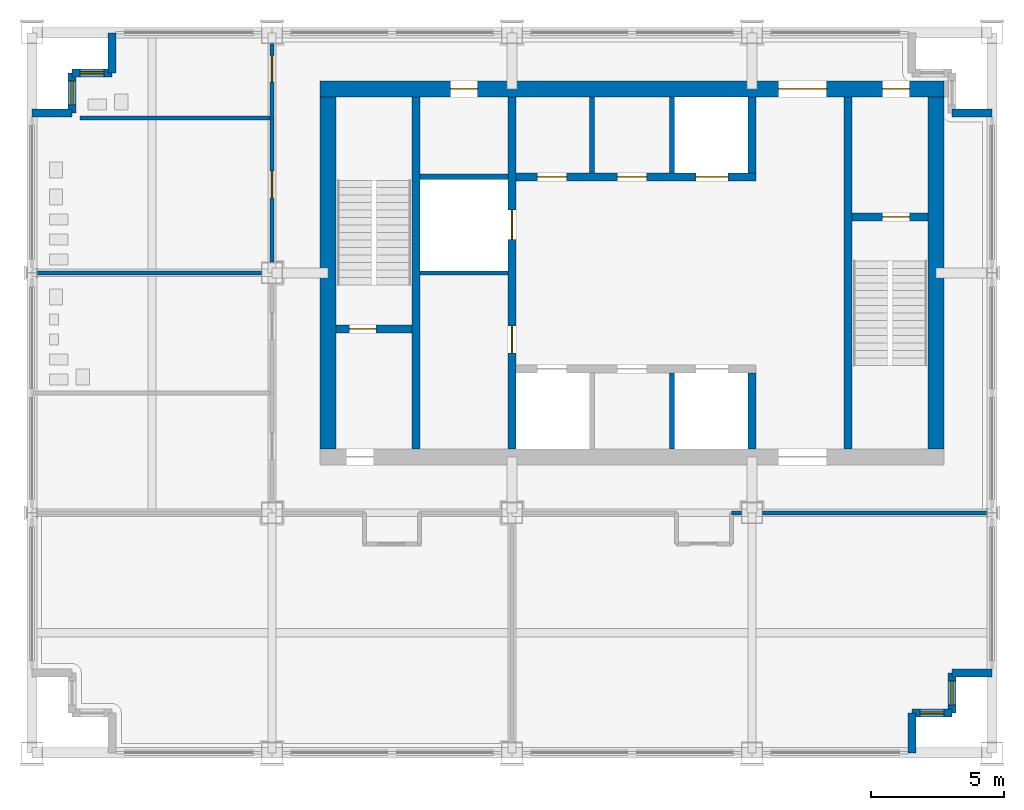
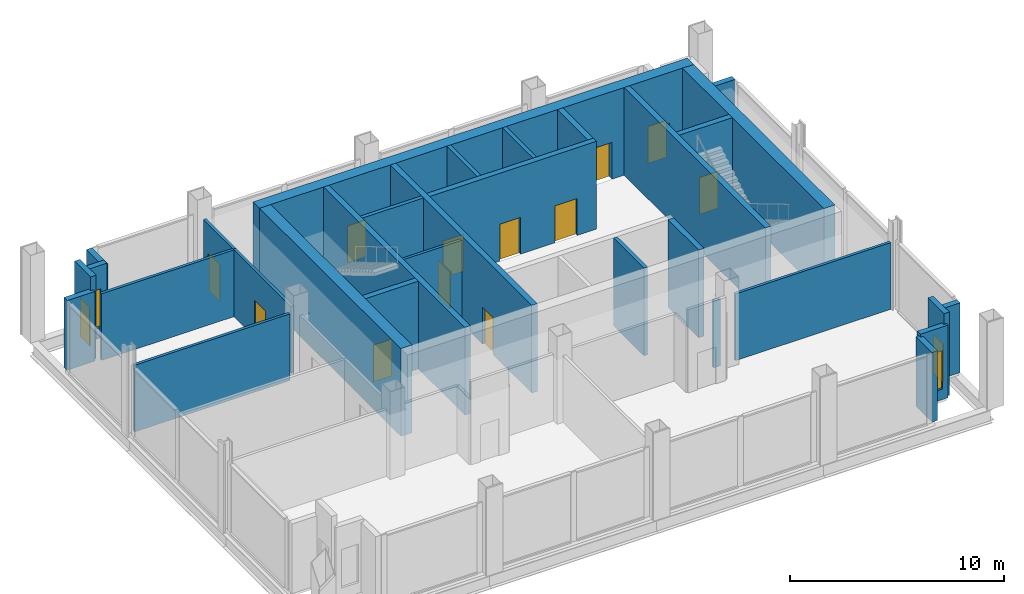
# One storey, part 4 of 7: 31 walls, 12 doors, 4 windows, 16 openings.
"""IFC4 building model written with IfcOpenShell, lengths in metres."""

from ifc_helpers import new_model, si_unit, direction, frame, frame_2d, origin, place, context, subcontext, project, spatial, rectangle, extrude, material, layer, layer_set, type_object, element, fill, save


model = new_model("IFC4")

# Units and contexts
model_context = context("Model", 3, precision=1e-05, world=origin(), true_north=direction((0.0, 1.0)))
body_context = subcontext(model_context, "Body", "Model", "MODEL_VIEW")
ifc_project = project(units=[si_unit("LENGTHUNIT", "METRE"), si_unit("AREAUNIT", "SQUARE_METRE"), si_unit("VOLUMEUNIT", "CUBIC_METRE"), si_unit("PLANEANGLEUNIT", "RADIAN"), si_unit("MASSUNIT", "GRAM", prefix="KILO")], contexts=[model_context])

# Site, building, storey
site_placement = place(None, origin())
site = spatial("IfcSite", under=ifc_project, at=site_placement, CompositionType="ELEMENT")
building_placement = place(site_placement, origin())
building = spatial("IfcBuilding", under=site, at=building_placement, Name="Loomwork Tower", CompositionType="ELEMENT")
storey_placement = place(building_placement, frame((0.0, 0.0, 269.800048828125)))
storey = spatial("IfcBuildingStorey", under=building, at=storey_placement, Name="L74", CompositionType="ELEMENT", Elevation=269.800048828125)

# Wall
ifc_material_1 = material(Name="Concrete 14000 psi (97 MPa)", Category="concrete")
ifc_layer_1 = layer(ifc_material_1, 0.300048828125)
ifc_layer_set_1 = layer_set([ifc_layer_1], Name="Core shear wall 300")
wall_type_1 = type_object("IfcWallType", Name="Core shear wall 300", PredefinedType="SHEAR", material=ifc_layer_set_1)
wall_1_placement = place(storey_placement, frame((14.39990234375, 11.39990234375, 0.0), z_axis=(0.0, 0.0, 1.0), x_axis=(0.0, 1.0, 0.0)))
element("IfcWall", 1, at=wall_1_placement, inside=storey, type_object=wall_type_1, Name="Stair A east wall L74", PredefinedType="SHEAR", context=body_context, shape_type="SweptSolid", body=[
    extrude(rectangle(XDim=13.2001953125, YDim=0.300048828125, at=frame_2d((6.60009765625, 0.0))), origin(), (0.0, 0.0, 1.0), 5.0),
])

# Wall, opening, door
wall_2_placement = place(storey_placement, frame((11.39990234375, 15.89990234375, 0.0), z_axis=(0.0, 0.0, 1.0), x_axis=(1.0, 0.0, 0.0)))
wall_2 = element("IfcWall", 2, at=wall_2_placement, inside=storey, type_object=wall_type_1, Name="Stair A south wall L74", PredefinedType="SHEAR", context=body_context, shape_type="SweptSolid", body=[
    extrude(rectangle(XDim=2.85009765625, YDim=0.300048828125, at=frame_2d((1.425048828125, 0.0))), origin(), (0.0, 0.0, 1.0), 5.0),
])
opening_1_placement = place(wall_2_placement, frame((0.5, 0.0, 0.0)))
opening_1 = element("IfcOpeningElement", 3, at=opening_1_placement, cuts=wall_2, Name="Opening D4", PredefinedType="OPENING", context=body_context, shape_type="SweptSolid", body=[
    extrude(rectangle(XDim=1.0, YDim=2.10009765625, at=frame_2d((0.5, 1.050048828125))), frame((0.0, 0.159912109375, 0.0), z_axis=(0.0, -1.0, 0.0), x_axis=(1.0, 0.0, 0.0)), (0.0, 0.0, 1.0), 0.320068359375),
])
ifc_material_2 = material(Name="Hollow metal door and frame")
door_type_1 = type_object("IfcDoorType", Name="Stair door 1000", OperationType="SINGLE_SWING_RIGHT", PredefinedType="DOOR", material=ifc_material_2)
door_1_placement = place(opening_1_placement, origin())
door_1 = element("IfcDoor", 4, at=door_1_placement, inside=storey, type_object=door_type_1, Name="Stair A door", OperationType="SINGLE_SWING_LEFT", OverallHeight=2.10009765625, OverallWidth=1.0, PredefinedType="DOOR", context=body_context, shape_type="SweptSolid", body=[
    extrude(rectangle(XDim=1.0, YDim=2.10009765625, at=frame_2d((0.5, 1.050048828125))), frame((0.0, 0.02490234375, 0.0), z_axis=(0.0, -1.0, 0.0), x_axis=(1.0, 0.0, 0.0)), (0.0, 0.0, 1.0), 0.050048828125),
])
fill(opening_1, door_1)

# Wall, openings, doors
wall_3_placement = place(storey_placement, frame((18.0, 11.39990234375, 0.0), z_axis=(0.0, 0.0, 1.0), x_axis=(0.0, 1.0, 0.0)))
wall_3 = element("IfcWall", 5, at=wall_3_placement, inside=storey, type_object=wall_type_1, Name="Lobby west wall L74", PredefinedType="SHEAR", context=body_context, shape_type="SweptSolid", body=[
    extrude(rectangle(XDim=13.2001953125, YDim=0.300048828125, at=frame_2d((6.60009765625, 0.0))), origin(), (0.0, 0.0, 1.0), 5.0),
])
opening_2_placement = place(wall_3_placement, frame((3.60009765625, 0.0, 0.0)))
opening_2 = element("IfcOpeningElement", 6, at=opening_2_placement, cuts=wall_3, Name="Opening D5", PredefinedType="OPENING", context=body_context, shape_type="SweptSolid", body=[
    extrude(rectangle(XDim=1.0, YDim=2.10009765625, at=frame_2d((0.5, 1.050048828125))), frame((0.0, 0.159912109375, 0.0), z_axis=(0.0, -1.0, 0.0), x_axis=(1.0, 0.0, 0.0)), (0.0, 0.0, 1.0), 0.320068359375),
])
opening_3_placement = place(wall_3_placement, frame((7.85009765625, 0.0, 0.0)))
opening_3 = element("IfcOpeningElement", 7, at=opening_3_placement, cuts=wall_3, Name="Opening LD1", PredefinedType="OPENING", context=body_context, shape_type="SweptSolid", body=[
    extrude(rectangle(XDim=1.10009765625, YDim=2.10009765625, at=frame_2d((0.550048828125, 1.050048828125))), frame((0.0, 0.159912109375, 0.0), z_axis=(0.0, -1.0, 0.0), x_axis=(1.0, 0.0, 0.0)), (0.0, 0.0, 1.0), 0.320068359375),
])
ifc_material_3 = material(Name="Hollow metal door and frame")
door_type_2 = type_object("IfcDoorType", Name="Lift landing door 1100", OperationType="SLIDING_TO_LEFT", PredefinedType="DOOR", material=ifc_material_3)
door_2_placement = place(opening_3_placement, origin())
door_2 = element("IfcDoor", 8, at=door_2_placement, inside=storey, type_object=door_type_2, Name="Lift landing door LC2", OperationType="SLIDING_TO_LEFT", OverallHeight=2.10009765625, OverallWidth=1.10009765625, PredefinedType="DOOR", context=body_context, shape_type="SweptSolid", body=[
    extrude(rectangle(XDim=1.10009765625, YDim=2.10009765625, at=frame_2d((0.550048828125, 1.050048828125))), frame((0.0, 0.02490234375, 0.0), z_axis=(0.0, -1.0, 0.0), x_axis=(1.0, 0.0, 0.0)), (0.0, 0.0, 1.0), 0.050048828125),
])
fill(opening_3, door_2)
ifc_material_4 = material(Name="Hollow metal door and frame")
door_type_3 = type_object("IfcDoorType", Name="Service door 1000", OperationType="SINGLE_SWING_LEFT", PredefinedType="DOOR", material=ifc_material_4)
door_3_placement = place(opening_2_placement, origin())
door_3 = element("IfcDoor", 9, at=door_3_placement, inside=storey, type_object=door_type_3, Name="Back-of-house door south", OperationType="SINGLE_SWING_LEFT", OverallHeight=2.10009765625, OverallWidth=1.0, PredefinedType="DOOR", context=body_context, shape_type="SweptSolid", body=[
    extrude(rectangle(XDim=1.0, YDim=2.10009765625, at=frame_2d((0.5, 1.050048828125))), frame((0.0, 0.02490234375, 0.0), z_axis=(0.0, -1.0, 0.0), x_axis=(1.0, 0.0, 0.0)), (0.0, 0.0, 1.0), 0.050048828125),
])
fill(opening_2, door_3)

# Wall
wall_4_placement = place(storey_placement, frame((27.0, 11.39990234375, 0.0), z_axis=(0.0, 0.0, 1.0), x_axis=(0.0, 1.0, 0.0)))
element("IfcWall", 10, at=wall_4_placement, inside=storey, type_object=wall_type_1, Name="Lift shaft end wall south L74", PredefinedType="SHEAR", context=body_context, shape_type="SweptSolid", body=[
    extrude(rectangle(XDim=2.85009765625, YDim=0.300048828125, at=frame_2d((1.425048828125, 0.0))), origin(), (0.0, 0.0, 1.0), 5.0),
])

# Wall, openings, doors
wall_5_placement = place(storey_placement, frame((18.14990234375, 21.60009765625, 0.0), z_axis=(0.0, 0.0, 1.0), x_axis=(1.0, 0.0, 0.0)))
wall_5 = element("IfcWall", 11, at=wall_5_placement, inside=storey, type_object=wall_type_1, Name="Lift front wall north L74", PredefinedType="SHEAR", context=body_context, shape_type="SweptSolid", body=[
    extrude(rectangle(XDim=9.0, YDim=0.300048828125, at=frame_2d((4.5, 0.0))), origin(), (0.0, 0.0, 1.0), 5.0),
])
opening_4_placement = place(wall_5_placement, frame((6.75, 0.0, 0.0)))
opening_4 = element("IfcOpeningElement", 12, at=opening_4_placement, cuts=wall_5, Name="Opening LD2", PredefinedType="OPENING", context=body_context, shape_type="SweptSolid", body=[
    extrude(rectangle(XDim=1.199951171875, YDim=2.10009765625, at=frame_2d((0.60009765625, 1.050048828125))), frame((0.0, 0.159912109375, 0.0), z_axis=(0.0, -1.0, 0.0), x_axis=(1.0, 0.0, 0.0)), (0.0, 0.0, 1.0), 0.320068359375),
])
opening_5_placement = place(wall_5_placement, frame((0.800048828125, 0.0, 0.0)))
opening_5 = element("IfcOpeningElement", 13, at=opening_5_placement, cuts=wall_5, Name="Opening D17", PredefinedType="OPENING", context=body_context, shape_type="SweptSolid", body=[
    extrude(rectangle(XDim=1.10009765625, YDim=2.10009765625, at=frame_2d((0.550048828125, 1.050048828125))), frame((0.0, 0.159912109375, 0.0), z_axis=(0.0, -1.0, 0.0), x_axis=(1.0, 0.0, 0.0)), (0.0, 0.0, 1.0), 0.320068359375),
])
opening_6_placement = place(wall_5_placement, frame((3.800048828125, 0.0, 0.0)))
opening_6 = element("IfcOpeningElement", 14, at=opening_6_placement, cuts=wall_5, Name="Opening D17", PredefinedType="OPENING", context=body_context, shape_type="SweptSolid", body=[
    extrude(rectangle(XDim=1.10009765625, YDim=2.10009765625, at=frame_2d((0.550048828125, 1.050048828125))), frame((0.0, 0.159912109375, 0.0), z_axis=(0.0, -1.0, 0.0), x_axis=(1.0, 0.0, 0.0)), (0.0, 0.0, 1.0), 0.320068359375),
])
ifc_material_5 = material(Name="Hollow metal door and frame")
door_type_4 = type_object("IfcDoorType", Name="Lift landing door 1200", OperationType="SLIDING_TO_LEFT", PredefinedType="DOOR", material=ifc_material_5)
door_4_placement = place(opening_4_placement, origin())
door_4 = element("IfcDoor", 15, at=door_4_placement, inside=storey, type_object=door_type_4, Name="Lift landing door LF2", OperationType="SLIDING_TO_LEFT", OverallHeight=2.10009765625, OverallWidth=1.199951171875, PredefinedType="DOOR", context=body_context, shape_type="SweptSolid", body=[
    extrude(rectangle(XDim=1.199951171875, YDim=2.10009765625, at=frame_2d((0.60009765625, 1.050048828125))), frame((0.0, 0.02490234375, 0.0), z_axis=(0.0, -1.0, 0.0), x_axis=(1.0, 0.0, 0.0)), (0.0, 0.0, 1.0), 0.050048828125),
])
fill(opening_4, door_4)
ifc_material_6 = material(Name="Hollow metal door and frame")
door_type_5 = type_object("IfcDoorType", Name="Service room door 1100", OperationType="SINGLE_SWING_LEFT", PredefinedType="DOOR", material=ifc_material_6)
door_5_placement = place(opening_5_placement, origin())
door_5 = element("IfcDoor", 16, at=door_5_placement, inside=storey, type_object=door_type_5, Name="Housekeeping store door L74", OperationType="SINGLE_SWING_LEFT", OverallHeight=2.10009765625, OverallWidth=1.10009765625, PredefinedType="DOOR", context=body_context, shape_type="SweptSolid", body=[
    extrude(rectangle(XDim=1.10009765625, YDim=2.10009765625, at=frame_2d((0.550048828125, 1.050048828125))), frame((0.0, 0.02490234375, 0.0), z_axis=(0.0, -1.0, 0.0), x_axis=(1.0, 0.0, 0.0)), (0.0, 0.0, 1.0), 0.050048828125),
])
fill(opening_5, door_5)
door_6_placement = place(opening_6_placement, origin())
door_6 = element("IfcDoor", 17, at=door_6_placement, inside=storey, type_object=door_type_5, Name="Guest pantry, ice and vending door L74", OperationType="SINGLE_SWING_LEFT", OverallHeight=2.10009765625, OverallWidth=1.10009765625, PredefinedType="DOOR", context=body_context, shape_type="SweptSolid", body=[
    extrude(rectangle(XDim=1.10009765625, YDim=2.10009765625, at=frame_2d((0.550048828125, 1.050048828125))), frame((0.0, 0.02490234375, 0.0), z_axis=(0.0, -1.0, 0.0), x_axis=(1.0, 0.0, 0.0)), (0.0, 0.0, 1.0), 0.050048828125),
])
fill(opening_6, door_6)

# Walls
wall_6_placement = place(storey_placement, frame((27.0, 21.75, 0.0), z_axis=(0.0, 0.0, 1.0), x_axis=(0.0, 1.0, 0.0)))
element("IfcWall", 18, at=wall_6_placement, inside=storey, type_object=wall_type_1, Name="Lift shaft end wall north L74", PredefinedType="SHEAR", context=body_context, shape_type="SweptSolid", body=[
    extrude(rectangle(XDim=2.85009765625, YDim=0.300048828125, at=frame_2d((1.425048828125, 0.0))), origin(), (0.0, 0.0, 1.0), 5.0),
])
wall_7_placement = place(storey_placement, frame((30.60009765625, 11.39990234375, 0.0), z_axis=(0.0, 0.0, 1.0), x_axis=(0.0, 1.0, 0.0)))
element("IfcWall", 19, at=wall_7_placement, inside=storey, type_object=wall_type_1, Name="Stair B west wall L74", PredefinedType="SHEAR", context=body_context, shape_type="SweptSolid", body=[
    extrude(rectangle(XDim=13.2001953125, YDim=0.300048828125, at=frame_2d((6.60009765625, 0.0))), origin(), (0.0, 0.0, 1.0), 5.0),
])

# Wall, opening, door
wall_8_placement = place(storey_placement, frame((30.75, 20.10009765625, 0.0), z_axis=(0.0, 0.0, 1.0), x_axis=(1.0, 0.0, 0.0)))
wall_8 = element("IfcWall", 20, at=wall_8_placement, inside=storey, type_object=wall_type_1, Name="Stair B north wall L74", PredefinedType="SHEAR", context=body_context, shape_type="SweptSolid", body=[
    extrude(rectangle(XDim=2.85009765625, YDim=0.300048828125, at=frame_2d((1.425048828125, 0.0))), origin(), (0.0, 0.0, 1.0), 5.0),
])
opening_7_placement = place(wall_8_placement, frame((1.14990234375, 0.0, 0.0)))
opening_7 = element("IfcOpeningElement", 21, at=opening_7_placement, cuts=wall_8, Name="Opening D4", PredefinedType="OPENING", context=body_context, shape_type="SweptSolid", body=[
    extrude(rectangle(XDim=1.0, YDim=2.10009765625, at=frame_2d((0.5, 1.050048828125))), frame((0.0, 0.159912109375, 0.0), z_axis=(0.0, -1.0, 0.0), x_axis=(1.0, 0.0, 0.0)), (0.0, 0.0, 1.0), 0.320068359375),
])
door_7_placement = place(opening_7_placement, frame((1.0, 0.0, 0.0), z_axis=(0.0, 0.0, 1.0), x_axis=(-1.0, 0.0, 0.0)))
door_7 = element("IfcDoor", 22, at=door_7_placement, inside=storey, type_object=door_type_1, Name="Stair B door", OperationType="SINGLE_SWING_LEFT", OverallHeight=2.10009765625, OverallWidth=1.0, PredefinedType="DOOR", context=body_context, shape_type="SweptSolid", body=[
    extrude(rectangle(XDim=1.0, YDim=2.10009765625, at=frame_2d((0.5, 1.050048828125))), frame((0.0, 0.02490234375, 0.0), z_axis=(0.0, -1.0, 0.0), x_axis=(1.0, 0.0, 0.0)), (0.0, 0.0, 1.0), 0.050048828125),
])
fill(opening_7, door_7)

# Wall, openings, doors
ifc_material_7 = material(Name="Concrete 14000 psi (97 MPa)", Category="concrete")
ifc_layer_2 = layer(ifc_material_7, 0.60009765625)
ifc_layer_set_2 = layer_set([ifc_layer_2], Name="Core shear wall 600")
wall_type_2 = type_object("IfcWallType", Name="Core shear wall 600", PredefinedType="SHEAR", material=ifc_layer_set_2)
wall_9_placement = place(storey_placement, frame((10.800048828125, 24.89990234375, 0.0), z_axis=(0.0, 0.0, 1.0), x_axis=(1.0, 0.0, 0.0)))
wall_9 = element("IfcWall", 23, at=wall_9_placement, inside=storey, type_object=wall_type_2, Name="Core wall north L74", PredefinedType="SHEAR", context=body_context, shape_type="SweptSolid", body=[
    extrude(rectangle(XDim=23.39990234375, YDim=0.60009765625, at=frame_2d((11.699951171875, 0.0))), origin(), (0.0, 0.0, 1.0), 5.0),
])
opening_8_placement = place(wall_9_placement, frame((17.199951171875, 0.0, 0.0)))
opening_8 = element("IfcOpeningElement", 24, at=opening_8_placement, cuts=wall_9, Name="Opening D6", PredefinedType="OPENING", context=body_context, shape_type="SweptSolid", body=[
    extrude(rectangle(XDim=1.800048828125, YDim=2.10009765625, at=frame_2d((0.89990234375, 1.050048828125))), frame((0.0, 0.31005859375, 0.0), z_axis=(0.0, -1.0, 0.0), x_axis=(1.0, 0.0, 0.0)), (0.0, 0.0, 1.0), 0.6201171875),
])
opening_9_placement = place(wall_9_placement, frame((21.10009765625, 0.0, 0.0)))
opening_9 = element("IfcOpeningElement", 25, at=opening_9_placement, cuts=wall_9, Name="Opening D4", PredefinedType="OPENING", context=body_context, shape_type="SweptSolid", body=[
    extrude(rectangle(XDim=1.0, YDim=2.10009765625, at=frame_2d((0.5, 1.050048828125))), frame((0.0, 0.31005859375, 0.0), z_axis=(0.0, -1.0, 0.0), x_axis=(1.0, 0.0, 0.0)), (0.0, 0.0, 1.0), 0.6201171875),
])
opening_10_placement = place(wall_9_placement, frame((4.89990234375, 0.0, 0.0)))
opening_10 = element("IfcOpeningElement", 26, at=opening_10_placement, cuts=wall_9, Name="Opening D5", PredefinedType="OPENING", context=body_context, shape_type="SweptSolid", body=[
    extrude(rectangle(XDim=1.0, YDim=2.10009765625, at=frame_2d((0.5, 1.050048828125))), frame((0.0, 0.31005859375, 0.0), z_axis=(0.0, -1.0, 0.0), x_axis=(1.0, 0.0, 0.0)), (0.0, 0.0, 1.0), 0.6201171875),
])
ifc_material_8 = material(Name="Hollow metal door and frame")
door_type_6 = type_object("IfcDoorType", Name="Lobby passage double door 1800", OperationType="DOUBLE_DOOR_SINGLE_SWING", PredefinedType="DOOR", material=ifc_material_8)
door_8_placement = place(opening_8_placement, frame((1.800048828125, 0.0, 0.0), z_axis=(0.0, 0.0, 1.0), x_axis=(-1.0, 0.0, 0.0)))
door_8 = element("IfcDoor", 27, at=door_8_placement, inside=storey, type_object=door_type_6, Name="Lobby passage door north", OperationType="DOUBLE_DOOR_SINGLE_SWING", OverallHeight=2.10009765625, OverallWidth=1.800048828125, PredefinedType="DOOR", context=body_context, shape_type="SweptSolid", body=[
    extrude(rectangle(XDim=1.800048828125, YDim=2.10009765625, at=frame_2d((0.89990234375, 1.050048828125))), frame((0.0, 0.02490234375, 0.0), z_axis=(0.0, -1.0, 0.0), x_axis=(1.0, 0.0, 0.0)), (0.0, 0.0, 1.0), 0.050048828125),
])
fill(opening_8, door_8)
door_9_placement = place(opening_10_placement, frame((1.0, 0.0, 0.0), z_axis=(0.0, 0.0, 1.0), x_axis=(-1.0, 0.0, 0.0)))
door_9 = element("IfcDoor", 28, at=door_9_placement, inside=storey, type_object=door_type_3, Name="Back-of-house door north", OperationType="SINGLE_SWING_LEFT", OverallHeight=2.10009765625, OverallWidth=1.0, PredefinedType="DOOR", context=body_context, shape_type="SweptSolid", body=[
    extrude(rectangle(XDim=1.0, YDim=2.10009765625, at=frame_2d((0.5, 1.050048828125))), frame((0.0, 0.02490234375, 0.0), z_axis=(0.0, -1.0, 0.0), x_axis=(1.0, 0.0, 0.0)), (0.0, 0.0, 1.0), 0.050048828125),
])
fill(opening_10, door_9)
door_10_placement = place(opening_9_placement, frame((1.0, 0.0, 0.0), z_axis=(0.0, 0.0, 1.0), x_axis=(-1.0, 0.0, 0.0)))
door_10 = element("IfcDoor", 29, at=door_10_placement, inside=storey, type_object=door_type_1, Name="Stair B vestibule door", OperationType="SINGLE_SWING_LEFT", OverallHeight=2.10009765625, OverallWidth=1.0, PredefinedType="DOOR", context=body_context, shape_type="SweptSolid", body=[
    extrude(rectangle(XDim=1.0, YDim=2.10009765625, at=frame_2d((0.5, 1.050048828125))), frame((0.0, 0.02490234375, 0.0), z_axis=(0.0, -1.0, 0.0), x_axis=(1.0, 0.0, 0.0)), (0.0, 0.0, 1.0), 0.050048828125),
])
fill(opening_9, door_10)

# Walls
for number, where, z_axis, x_axis, name in (
    (30, (11.10009765625, 11.39990234375, 0.0), (0.0, 0.0, 1.0), (0.0, 1.0, 0.0), "Core wall west L74"),
    (31, (33.89990234375, 11.39990234375, 0.0), (0.0, 0.0, 1.0), (0.0, 1.0, 0.0), "Core wall east L74"),
):
    element("IfcWall", number, at=place(storey_placement, frame(where, z_axis=z_axis, x_axis=x_axis)), inside=storey, type_object=wall_type_2, Name=name, PredefinedType="SHEAR", context=body_context, shape_type="SweptSolid", body=[
        extrude(rectangle(XDim=13.2001953125, YDim=0.60009765625, at=frame_2d((6.60009765625, 0.0))), origin(), (0.0, 0.0, 1.0), 5.0),
    ])
ifc_material_9 = material(Name="Concrete 14000 psi (97 MPa)", Category="concrete")
ifc_layer_3 = layer(ifc_material_9, 0.199951171875)
ifc_layer_set_3 = layer_set([ifc_layer_3], Name="Lift shaft wall 200")
wall_type_3 = type_object("IfcWallType", Name="Lift shaft wall 200", PredefinedType="SHEAR", material=ifc_layer_set_3)
for number, where, z_axis, x_axis, name in (
    (32, (24.0, 11.39990234375, 0.0), (0.0, 0.0, 1.0), (0.0, 1.0, 0.0), "Lift shaft separation wall south 2 L74"),
    (33, (21.0, 21.75, 0.0), (0.0, 0.0, 1.0), (0.0, 1.0, 0.0), "Lift shaft separation wall north 1 L74"),
    (34, (24.0, 21.75, 0.0), (0.0, 0.0, 1.0), (0.0, 1.0, 0.0), "Lift shaft separation wall north 2 L74"),
):
    element("IfcWall", number, at=place(storey_placement, frame(where, z_axis=z_axis, x_axis=x_axis)), inside=storey, type_object=wall_type_3, Name=name, PredefinedType="SHEAR", context=body_context, shape_type="SweptSolid", body=[
        extrude(rectangle(XDim=2.85009765625, YDim=0.199951171875, at=frame_2d((1.425048828125, 0.0))), origin(), (0.0, 0.0, 1.0), 5.0),
    ])
wall_10_placement = place(storey_placement, frame((14.550048828125, 21.60009765625, 0.0), z_axis=(0.0, 0.0, 1.0), x_axis=(1.0, 0.0, 0.0)))
element("IfcWall", 35, at=wall_10_placement, inside=storey, type_object=wall_type_3, Name="Lift shaft wall west north L74", PredefinedType="SHEAR", context=body_context, shape_type="SweptSolid", body=[
    extrude(rectangle(XDim=3.300048828125, YDim=0.199951171875, at=frame_2d((1.64990234375, 0.0))), origin(), (0.0, 0.0, 1.0), 5.0),
])
ifc_material_10 = material(Name="Limestone on concrete masonry", Category="masonry")
ifc_layer_4 = layer(ifc_material_10, 0.300048828125)
ifc_layer_set_4 = layer_set([ifc_layer_4], Name="Limestone corner wall 300")
wall_type_4 = type_object("IfcWallType", Name="Limestone corner wall 300", PredefinedType="SOLIDWALL", material=ifc_layer_set_4)
wall_11_placement = place(storey_placement, frame((33.0, 0.0, 0.0), z_axis=(0.0, 0.0, 1.0), x_axis=(0.0, 1.0, 0.0)))
element("IfcWall", 36, at=wall_11_placement, inside=storey, type_object=wall_type_4, Name="Stone corner wall SE 1", PredefinedType="SOLIDWALL", context=body_context, shape_type="SweptSolid", body=[
    extrude(rectangle(XDim=1.5, YDim=0.300048828125, at=frame_2d((0.75, 0.0))), origin(), (0.0, 0.0, 1.0), 3.969970703125),
])

# Wall, opening, window
wall_12_placement = place(storey_placement, frame((33.0, 1.5, 0.0), z_axis=(0.0, 0.0, 1.0), x_axis=(1.0, 0.0, 0.0)))
wall_12 = element("IfcWall", 37, at=wall_12_placement, inside=storey, type_object=wall_type_4, Name="Stone corner wall SE 2", PredefinedType="SOLIDWALL", context=body_context, shape_type="SweptSolid", body=[
    extrude(rectangle(XDim=1.5, YDim=0.300048828125, at=frame_2d((0.75, 0.0))), origin(), (0.0, 0.0, 1.0), 4.141845703125),
])
opening_11_placement = place(wall_12_placement, frame((0.300048828125, 0.0, 0.60009765625)))
opening_11 = element("IfcOpeningElement", 38, at=opening_11_placement, cuts=wall_12, Name="Opening CH2", PredefinedType="OPENING", context=body_context, shape_type="SweptSolid", body=[
    extrude(rectangle(XDim=0.89990234375, YDim=2.199951171875, at=frame_2d((0.449951171875, 1.10009765625))), frame((0.0, 0.159912109375, 0.0), z_axis=(0.0, -1.0, 0.0), x_axis=(1.0, 0.0, 0.0)), (0.0, 0.0, 1.0), 0.320068359375),
])
ifc_material_11 = material(Name="Aluminium frame with clear insulated glass", Category="aluminium")
window_type = type_object("IfcWindowType", Name="Corner window 900", PartitioningType="SINGLE_PANEL", PredefinedType="WINDOW", material=ifc_material_11)
window_1_placement = place(opening_11_placement, origin())
window_1 = element("IfcWindow", 39, at=window_1_placement, inside=storey, type_object=window_type, Name="Corner window SE", OverallHeight=2.199951171875, OverallWidth=0.89990234375, PartitioningType="SINGLE_PANEL", PredefinedType="WINDOW", context=body_context, shape_type="SweptSolid", body=[
    extrude(rectangle(XDim=0.89990234375, YDim=2.199951171875, at=frame_2d((0.449951171875, 1.10009765625))), frame((0.0, 0.030029296875, 0.0), z_axis=(0.0, -1.0, 0.0), x_axis=(1.0, 0.0, 0.0)), (0.0, 0.0, 1.0), 0.06005859375),
])
fill(opening_11, window_1)

wall_13_placement = place(storey_placement, frame((34.5, 1.5, 0.0), z_axis=(0.0, 0.0, 1.0), x_axis=(0.0, 1.0, 0.0)))
wall_13 = element("IfcWall", 40, at=wall_13_placement, inside=storey, type_object=wall_type_4, Name="Stone corner wall SE 3", PredefinedType="SOLIDWALL", context=body_context, shape_type="SweptSolid", body=[
    extrude(rectangle(XDim=1.5, YDim=0.300048828125, at=frame_2d((0.75, 0.0))), origin(), (0.0, 0.0, 1.0), 4.75),
])
opening_12_placement = place(wall_13_placement, frame((0.300048828125, 0.0, 0.60009765625)))
opening_12 = element("IfcOpeningElement", 41, at=opening_12_placement, cuts=wall_13, Name="Opening CH2", PredefinedType="OPENING", context=body_context, shape_type="SweptSolid", body=[
    extrude(rectangle(XDim=0.89990234375, YDim=2.199951171875, at=frame_2d((0.449951171875, 1.10009765625))), frame((0.0, 0.159912109375, 0.0), z_axis=(0.0, -1.0, 0.0), x_axis=(1.0, 0.0, 0.0)), (0.0, 0.0, 1.0), 0.320068359375),
])
window_2_placement = place(opening_12_placement, origin())
window_2 = element("IfcWindow", 42, at=window_2_placement, inside=storey, type_object=window_type, Name="Corner window SE", OverallHeight=2.199951171875, OverallWidth=0.89990234375, PartitioningType="SINGLE_PANEL", PredefinedType="WINDOW", context=body_context, shape_type="SweptSolid", body=[
    extrude(rectangle(XDim=0.89990234375, YDim=2.199951171875, at=frame_2d((0.449951171875, 1.10009765625))), frame((0.0, 0.030029296875, 0.0), z_axis=(0.0, -1.0, 0.0), x_axis=(1.0, 0.0, 0.0)), (0.0, 0.0, 1.0), 0.06005859375),
])
fill(opening_12, window_2)

# Walls
for number, where, z_axis, x_axis, name in (
    (43, (34.5, 3.0, 0.0), (0.0, 0.0, 1.0), (1.0, 0.0, 0.0), "Stone corner wall SE 4"),
    (44, (36.0, 24.0, 0.0), (0.0, 0.0, 1.0), (-1.0, 0.0, 0.0), "Stone corner wall NE 1"),
    (45, (3.0, 27.0, 0.0), (0.0, 0.0, 1.0), (0.0, -1.0, 0.0), "Stone corner wall NW 1"),
):
    element("IfcWall", number, at=place(storey_placement, frame(where, z_axis=z_axis, x_axis=x_axis)), inside=storey, type_object=wall_type_4, Name=name, PredefinedType="SOLIDWALL", context=body_context, shape_type="SweptSolid", body=[
        extrude(rectangle(XDim=1.5, YDim=0.300048828125, at=frame_2d((0.75, 0.0))), origin(), (0.0, 0.0, 1.0), 3.969970703125),
    ])

# Wall, opening, window
wall_14_placement = place(storey_placement, frame((3.0, 25.5, 0.0), z_axis=(0.0, 0.0, 1.0), x_axis=(-1.0, 0.0, 0.0)))
wall_14 = element("IfcWall", 46, at=wall_14_placement, inside=storey, type_object=wall_type_4, Name="Stone corner wall NW 2", PredefinedType="SOLIDWALL", context=body_context, shape_type="SweptSolid", body=[
    extrude(rectangle(XDim=1.5, YDim=0.300048828125, at=frame_2d((0.75, 0.0))), origin(), (0.0, 0.0, 1.0), 4.141845703125),
])
opening_13_placement = place(wall_14_placement, frame((0.300048828125, 0.0, 0.60009765625)))
opening_13 = element("IfcOpeningElement", 47, at=opening_13_placement, cuts=wall_14, Name="Opening CH2", PredefinedType="OPENING", context=body_context, shape_type="SweptSolid", body=[
    extrude(rectangle(XDim=0.89990234375, YDim=2.199951171875, at=frame_2d((0.449951171875, 1.10009765625))), frame((0.0, 0.159912109375, 0.0), z_axis=(0.0, -1.0, 0.0), x_axis=(1.0, 0.0, 0.0)), (0.0, 0.0, 1.0), 0.320068359375),
])
window_3_placement = place(opening_13_placement, origin())
window_3 = element("IfcWindow", 48, at=window_3_placement, inside=storey, type_object=window_type, Name="Corner window NW", OverallHeight=2.199951171875, OverallWidth=0.89990234375, PartitioningType="SINGLE_PANEL", PredefinedType="WINDOW", context=body_context, shape_type="SweptSolid", body=[
    extrude(rectangle(XDim=0.89990234375, YDim=2.199951171875, at=frame_2d((0.449951171875, 1.10009765625))), frame((0.0, 0.030029296875, 0.0), z_axis=(0.0, -1.0, 0.0), x_axis=(1.0, 0.0, 0.0)), (0.0, 0.0, 1.0), 0.06005859375),
])
fill(opening_13, window_3)

wall_15_placement = place(storey_placement, frame((1.5, 25.5, 0.0), z_axis=(0.0, 0.0, 1.0), x_axis=(0.0, -1.0, 0.0)))
wall_15 = element("IfcWall", 49, at=wall_15_placement, inside=storey, type_object=wall_type_4, Name="Stone corner wall NW 3", PredefinedType="SOLIDWALL", context=body_context, shape_type="SweptSolid", body=[
    extrude(rectangle(XDim=1.5, YDim=0.300048828125, at=frame_2d((0.75, 0.0))), origin(), (0.0, 0.0, 1.0), 4.75),
])
opening_14_placement = place(wall_15_placement, frame((0.300048828125, 0.0, 0.60009765625)))
opening_14 = element("IfcOpeningElement", 50, at=opening_14_placement, cuts=wall_15, Name="Opening CH2", PredefinedType="OPENING", context=body_context, shape_type="SweptSolid", body=[
    extrude(rectangle(XDim=0.89990234375, YDim=2.199951171875, at=frame_2d((0.449951171875, 1.10009765625))), frame((0.0, 0.159912109375, 0.0), z_axis=(0.0, -1.0, 0.0), x_axis=(1.0, 0.0, 0.0)), (0.0, 0.0, 1.0), 0.320068359375),
])
window_4_placement = place(opening_14_placement, origin())
window_4 = element("IfcWindow", 51, at=window_4_placement, inside=storey, type_object=window_type, Name="Corner window NW", OverallHeight=2.199951171875, OverallWidth=0.89990234375, PartitioningType="SINGLE_PANEL", PredefinedType="WINDOW", context=body_context, shape_type="SweptSolid", body=[
    extrude(rectangle(XDim=0.89990234375, YDim=2.199951171875, at=frame_2d((0.449951171875, 1.10009765625))), frame((0.0, 0.030029296875, 0.0), z_axis=(0.0, -1.0, 0.0), x_axis=(1.0, 0.0, 0.0)), (0.0, 0.0, 1.0), 0.06005859375),
])
fill(opening_14, window_4)

# Walls
wall_16_placement = place(storey_placement, frame((1.5, 24.0, 0.0), z_axis=(0.0, 0.0, 1.0), x_axis=(-1.0, 0.0, 0.0)))
element("IfcWall", 52, at=wall_16_placement, inside=storey, type_object=wall_type_4, Name="Stone corner wall NW 4", PredefinedType="SOLIDWALL", context=body_context, shape_type="SweptSolid", body=[
    extrude(rectangle(XDim=1.5, YDim=0.300048828125, at=frame_2d((0.75, 0.0))), origin(), (0.0, 0.0, 1.0), 3.969970703125),
])
ifc_material_12 = material(Name="Gypsum board on steel studs, one-hour", Category="steel")
ifc_layer_5 = layer(ifc_material_12, 0.14990234375)
ifc_layer_set_5 = layer_set([ifc_layer_5], Name="Partition 150")
wall_type_5 = type_object("IfcWallType", Name="Partition 150", PredefinedType="PARTITIONING", material=ifc_layer_set_5)
wall_17_placement = place(storey_placement, frame((0.212158203125, 18.0, 0.0), z_axis=(0.0, 0.0, 1.0), x_axis=(1.0, 0.0, 0.0)))
element("IfcWall", 53, at=wall_17_placement, inside=storey, type_object=wall_type_5, Name="Partition L74 3.1", PredefinedType="PARTITIONING", context=body_context, shape_type="SweptSolid", body=[
    extrude(rectangle(XDim=8.387939453125, YDim=0.14990234375, at=frame_2d((4.19384765625, 0.0))), origin(), (0.0, 0.0, 1.0), 3.802490234375),
])
wall_18_placement = place(storey_placement, frame((1.793701171875, 23.81005859375, 0.0), z_axis=(0.0, 0.0, 1.0), x_axis=(1.0, 0.0, 0.0)))
element("IfcWall", 54, at=wall_18_placement, inside=storey, type_object=wall_type_5, Name="Partition L74 4.1", PredefinedType="PARTITIONING", context=body_context, shape_type="SweptSolid", body=[
    extrude(rectangle(XDim=7.206298828125, YDim=0.14990234375, at=frame_2d((3.60302734375, 0.0))), origin(), (0.0, 0.0, 1.0), 3.802001953125),
])

# Wall, opening, door
wall_19_placement = place(storey_placement, frame((9.0, 23.81005859375, 0.0), z_axis=(0.0, 0.0, 1.0), x_axis=(0.0, -1.0, 0.0)))
wall_19 = element("IfcWall", 55, at=wall_19_placement, inside=storey, type_object=wall_type_5, Name="Partition L74 8.1", PredefinedType="PARTITIONING", context=body_context, shape_type="SweptSolid", body=[
    extrude(rectangle(XDim=5.41015625, YDim=0.14990234375, at=frame_2d((2.705078125, 0.0))), origin(), (0.0, 0.0, 1.0), 3.802490234375),
])
opening_15_placement = place(wall_19_placement, frame((2.0, 0.0, 0.0)))
opening_15 = element("IfcOpeningElement", 56, at=opening_15_placement, cuts=wall_19, Name="Opening D8", PredefinedType="OPENING", context=body_context, shape_type="SweptSolid", body=[
    extrude(rectangle(XDim=1.0, YDim=2.10009765625, at=frame_2d((0.5, 1.050048828125))), frame((0.0, 0.0849609375, 0.0), z_axis=(0.0, -1.0, 0.0), x_axis=(1.0, 0.0, 0.0)), (0.0, 0.0, 1.0), 0.169921875),
])
ifc_material_13 = material(Name="Hollow metal door and frame")
door_type_7 = type_object("IfcDoorType", Name="WC door 1000", OperationType="SINGLE_SWING_LEFT", PredefinedType="DOOR", material=ifc_material_13)
door_11_placement = place(opening_15_placement, frame((1.0, 0.0, 0.0), z_axis=(0.0, 0.0, 1.0), x_axis=(-1.0, 0.0, 0.0)))
door_11 = element("IfcDoor", 57, at=door_11_placement, inside=storey, type_object=door_type_7, Name="Public WC women door", OperationType="SINGLE_SWING_RIGHT", OverallHeight=2.10009765625, OverallWidth=1.0, PredefinedType="DOOR", context=body_context, shape_type="SweptSolid", body=[
    extrude(rectangle(XDim=1.0, YDim=2.10009765625, at=frame_2d((0.5, 1.050048828125))), frame((0.0, 0.02490234375, 0.0), z_axis=(0.0, -1.0, 0.0), x_axis=(1.0, 0.0, 0.0)), (0.0, 0.0, 1.0), 0.050048828125),
])
fill(opening_15, door_11)

wall_20_placement = place(storey_placement, frame((9.0, 26.60009765625, 0.0), z_axis=(0.0, 0.0, 1.0), x_axis=(0.0, -1.0, 0.0)))
wall_20 = element("IfcWall", 58, at=wall_20_placement, inside=storey, type_object=wall_type_5, Name="Partition L74 9.1", PredefinedType="PARTITIONING", context=body_context, shape_type="SweptSolid", body=[
    extrude(rectangle(XDim=2.7900390625, YDim=0.14990234375, at=frame_2d((1.39501953125, 0.0))), origin(), (0.0, 0.0, 1.0), 3.802490234375),
])
opening_16_placement = place(wall_20_placement, frame((0.449951171875, 0.0, 0.0)))
opening_16 = element("IfcOpeningElement", 59, at=opening_16_placement, cuts=wall_20, Name="Opening D8", PredefinedType="OPENING", context=body_context, shape_type="SweptSolid", body=[
    extrude(rectangle(XDim=1.0, YDim=2.10009765625, at=frame_2d((0.5, 1.050048828125))), frame((0.0, 0.0849609375, 0.0), z_axis=(0.0, -1.0, 0.0), x_axis=(1.0, 0.0, 0.0)), (0.0, 0.0, 1.0), 0.169921875),
])
door_12_placement = place(opening_16_placement, frame((1.0, 0.0, 0.0), z_axis=(0.0, 0.0, 1.0), x_axis=(-1.0, 0.0, 0.0)))
door_12 = element("IfcDoor", 60, at=door_12_placement, inside=storey, type_object=door_type_7, Name="Accessible WC door", OperationType="SINGLE_SWING_LEFT", OverallHeight=2.10009765625, OverallWidth=1.0, PredefinedType="DOOR", context=body_context, shape_type="SweptSolid", body=[
    extrude(rectangle(XDim=1.0, YDim=2.10009765625, at=frame_2d((0.5, 1.050048828125))), frame((0.0, 0.02490234375, 0.0), z_axis=(0.0, -1.0, 0.0), x_axis=(1.0, 0.0, 0.0)), (0.0, 0.0, 1.0), 0.050048828125),
])
fill(opening_16, door_12)

# Walls
wall_21_placement = place(storey_placement, frame((27.39990234375, 9.0, 0.0), z_axis=(0.0, 0.0, 1.0), x_axis=(1.0, 0.0, 0.0)))
element("IfcWall", 61, at=wall_21_placement, inside=storey, type_object=wall_type_5, Name="Partition L74 11.2", PredefinedType="PARTITIONING", context=body_context, shape_type="SweptSolid", body=[
    extrude(rectangle(XDim=8.387939453125, YDim=0.14990234375, at=frame_2d((4.19384765625, 0.0))), origin(), (0.0, 0.0, 1.0), 3.802490234375),
])
wall_22_placement = place(storey_placement, frame((26.22509765625, 9.0, 0.0), z_axis=(0.0, 0.0, 1.0), x_axis=(1.0, 0.0, 0.0)))
element("IfcWall", 62, at=wall_22_placement, inside=storey, type_object=wall_type_5, Name="Partition L74 11.1", PredefinedType="PARTITIONING", context=body_context, shape_type="SweptSolid", body=[
    extrude(rectangle(XDim=0.375, YDim=0.14990234375, at=frame_2d((0.1875, 0.0))), origin(), (0.0, 0.0, 1.0), 3.802490234375),
])
ifc_material_14 = material(Name="Gypsum board on steel studs", Category="steel")
ifc_layer_6 = layer(ifc_material_14, 0.14990234375)
ifc_layer_set_6 = layer_set([ifc_layer_6], Name="Partition 150 two-hour")
wall_type_6 = type_object("IfcWallType", Name="Partition 150 two-hour", PredefinedType="PARTITIONING", material=ifc_layer_set_6)
wall_23_placement = place(storey_placement, frame((14.550048828125, 18.0, 0.0), z_axis=(0.0, 0.0, 1.0), x_axis=(1.0, 0.0, 0.0)))
element("IfcWall", 63, at=wall_23_placement, inside=storey, type_object=wall_type_6, Name="Back-of-house dividing wall L74", PredefinedType="PARTITIONING", context=body_context, shape_type="SweptSolid", body=[
    extrude(rectangle(XDim=3.300048828125, YDim=0.14990234375, at=frame_2d((1.64990234375, 0.0))), origin(), (0.0, 0.0, 1.0), 4.75),
])

save(model, "model.ifc")
